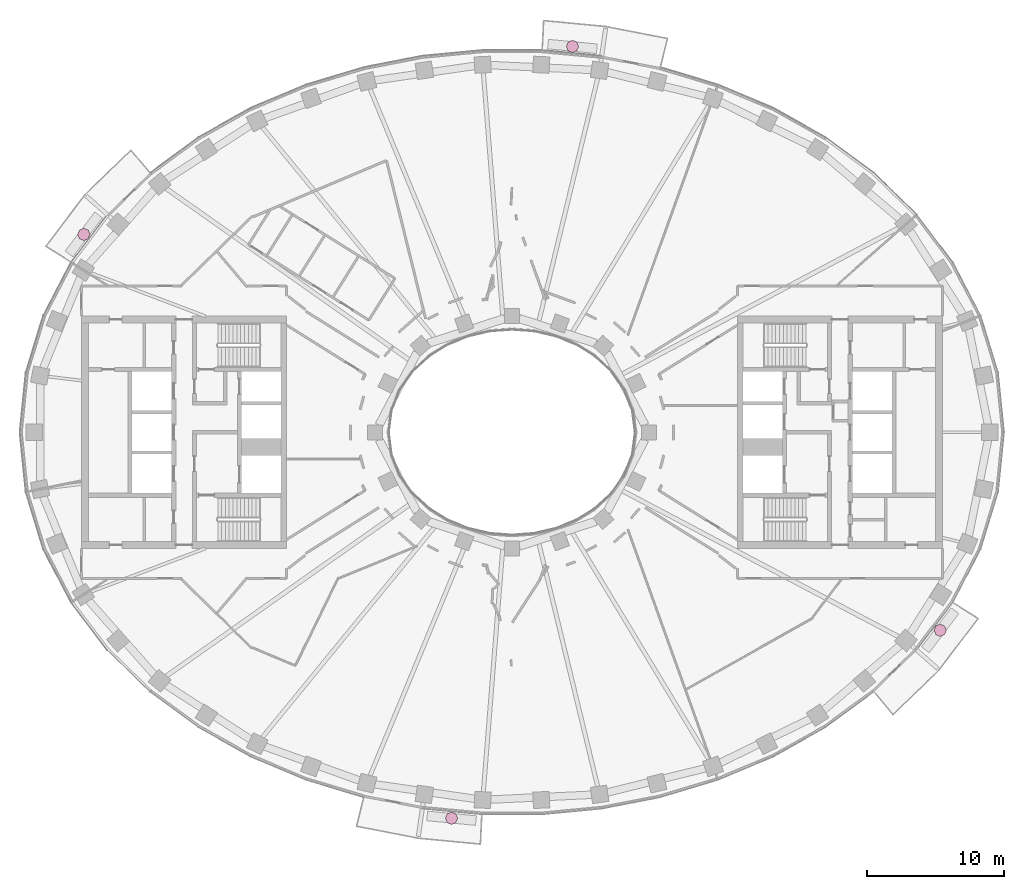
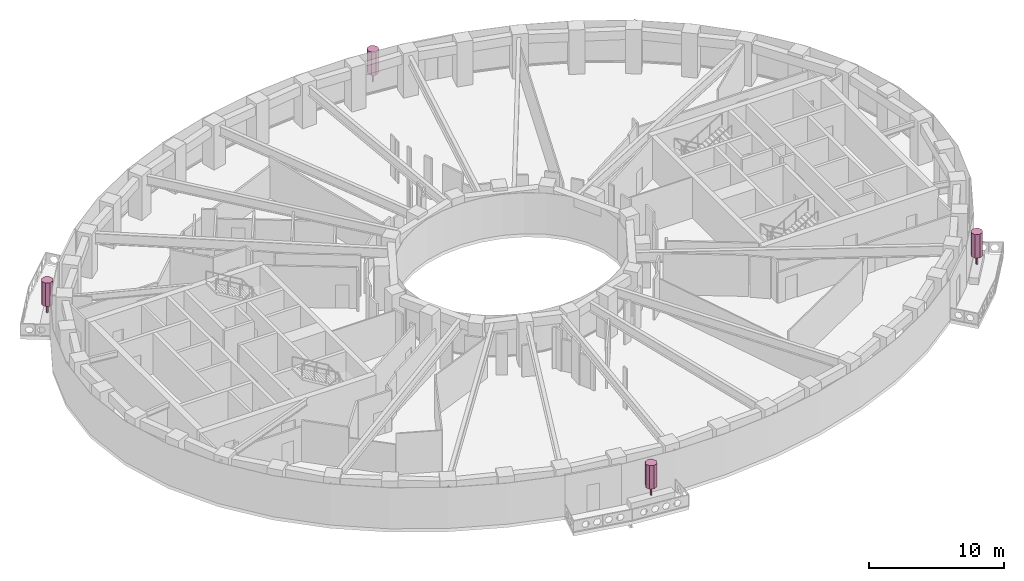
# One storey, part 16 of 16: 4 furnishings.
"""IFC4 building model written with IfcOpenShell, lengths in metres."""

import ifcopenshell
import ifcopenshell.guid

model = None  # the IFC model being written
_history = None  # IfcOwnerHistory: only IFC2X3 demands one
_inside = {}  # id of a spatial element -> (the spatial element, [elements in it])
_under = {}  # id of a project, library or spatial element -> (it, [spatial elements below it])
_declared = {}  # id of a project -> (the project, [libraries it declares])
_typed = {}  # id of a type object -> (the type object, [elements of that type])
_made_of = {}  # id of a material, layer set ... -> (it, [elements and type objects made of it])


def new_model(schema):
    """Start an empty IFC model of exactly this schema.

    Asked for "IFC4X3", IfcOpenShell would pick the latest addendum, in which some entities
    have other attributes; the version numbers below select the first issue.
    IFC2X3 requires an IfcOwnerHistory on every rooted entity: one is made here for all.
    """
    global model, _history
    if schema == "IFC4X3":
        model = ifcopenshell.file(schema_version=(4, 3, 0, 0))
    else:
        model = ifcopenshell.file(schema=schema)
    _inside.clear()
    _under.clear()
    _declared.clear()
    _typed.clear()
    _made_of.clear()
    _history = None
    if model.schema == "IFC2X3":
        org = make("IfcOrganization", Name="unknown")
        user = make(
            "IfcPersonAndOrganization",
            ThePerson=make("IfcPerson", FamilyName="unknown"),
            TheOrganization=org,
        )
        app = make(
            "IfcApplication",
            ApplicationDeveloper=org,
            Version="unknown",
            ApplicationFullName="unknown",
            ApplicationIdentifier="unknown",
        )
        _history = make(
            "IfcOwnerHistory",
            OwningUser=user,
            OwningApplication=app,
            ChangeAction="ADDED",
            CreationDate=0,
        )
    return model


def make(cls, **values):
    """One entity of the class cls with the attributes given. An attribute that is None is left unset."""
    return model.create_entity(
        cls, **{name: value for name, value in values.items() if value is not None}
    )


def rooted(cls, **values):
    """An entity with a GlobalId (a new one), such as an element, a storey or a relation."""
    return make(cls, GlobalId=ifcopenshell.guid.new(), OwnerHistory=_history, **values)


def si_unit(unit_type, name, prefix=None):
    """IfcSIUnit, for example si_unit("LENGTHUNIT", "METRE", prefix="MILLI")."""
    return make("IfcSIUnit", UnitType=unit_type, Prefix=prefix, Name=name)


def assignment(units):
    """IfcUnitAssignment: the units of a project."""
    return None if units is None else make("IfcUnitAssignment", Units=units)


def point(xyz):
    """IfcCartesianPoint."""
    return None if xyz is None else make("IfcCartesianPoint", Coordinates=xyz)


def direction(xyz):
    """IfcDirection."""
    return None if xyz is None else make("IfcDirection", DirectionRatios=xyz)


def frame(location, z_axis=None, x_axis=None):
    """IfcAxis2Placement3D, a coordinate frame: its origin and axes. An axis left out is left unset."""
    return make(
        "IfcAxis2Placement3D",
        Location=point(location),
        Axis=direction(z_axis),
        RefDirection=direction(x_axis),
    )


def frame_2d(location, x_axis=None):
    """IfcAxis2Placement2D, a coordinate frame in the plane: its origin and x axis."""
    return make(
        "IfcAxis2Placement2D", Location=point(location), RefDirection=direction(x_axis)
    )


def origin():
    """The frame at (0, 0, 0) with its axes left unset."""
    return frame((0.0, 0.0, 0.0))


def origin_2d():
    """The frame at (0, 0) in the plane with its x axis left unset."""
    return frame_2d((0.0, 0.0))


def place(relative_to, where):
    """IfcLocalPlacement: puts the frame where relative to a parent placement (None: the world)."""
    return make(
        "IfcLocalPlacement", PlacementRelTo=relative_to, RelativePlacement=where
    )


def context(
    kind, dimensions, precision=None, world=None, true_north=None, identifier=None
):
    """IfcGeometricRepresentationContext, for example the 3D "Model" context."""
    return make(
        "IfcGeometricRepresentationContext",
        ContextIdentifier=identifier,
        ContextType=kind,
        CoordinateSpaceDimension=dimensions,
        Precision=precision,
        WorldCoordinateSystem=world,
        TrueNorth=true_north,
    )


def subcontext(parent, identifier, kind, view, scale=None):
    """IfcGeometricRepresentationSubContext, for example "Body" below "Model"."""
    return make(
        "IfcGeometricRepresentationSubContext",
        ContextIdentifier=identifier,
        ContextType=kind,
        ParentContext=parent,
        TargetScale=scale,
        TargetView=view,
    )


def project(units=None, contexts=None):
    """IfcProject with its units and contexts."""
    return rooted(
        "IfcProject",
        Name="project",
        RepresentationContexts=contexts,
        UnitsInContext=assignment(units),
    )


def spatial(cls, under=None, at=None, **own):
    """A site, building, storey or space (cls), placed at a placement, below another one or the project."""
    s = rooted(cls, ObjectPlacement=at, **own)
    if under is not None:
        _under.setdefault(under.id(), (under, []))[1].append(s)
    return s


def polyline(points):
    """IfcPolyline through the points."""
    return make("IfcPolyline", Points=[point(p) for p in points])


def profile(cls, at=None, kind="AREA", **sizes):
    """A parametric profile (cls). Its sizes go by their IFC names, for example OverallWidth=200.0."""
    return make(cls, ProfileType=kind, Position=at, **sizes)


def rectangle(**sizes):
    """IfcRectangleProfileDef."""
    return profile("IfcRectangleProfileDef", **sizes)


def outline(outer, holes=None, kind="AREA"):
    """IfcArbitraryClosedProfileDef: a profile drawn as a closed curve; with holes, ...WithVoids."""
    if holes is None:
        return make("IfcArbitraryClosedProfileDef", ProfileType=kind, OuterCurve=outer)
    return make(
        "IfcArbitraryProfileDefWithVoids",
        ProfileType=kind,
        OuterCurve=outer,
        InnerCurves=holes,
    )


def extrude(swept, where, along, depth):
    """IfcExtrudedAreaSolid: the profile swept, set in the frame where, extruded along a direction by depth."""
    return make(
        "IfcExtrudedAreaSolid",
        SweptArea=swept,
        Position=where,
        ExtrudedDirection=direction(along),
        Depth=depth,
    )


def shape(context_of_items, identifier, shape_type, items):
    """IfcShapeRepresentation: the items that make up one representation, for example the "Body"."""
    return make(
        "IfcShapeRepresentation",
        ContextOfItems=context_of_items,
        RepresentationIdentifier=identifier,
        RepresentationType=shape_type,
        Items=items,
    )


def material(Name=None, Category=None):
    """IfcMaterial."""
    return make("IfcMaterial", Name=Name, Category=Category)


def made_of(thing, what):
    """Note that an element or type object is made of a material, layer set ...; save() writes the relation."""
    if what is not None:
        _made_of.setdefault(what.id(), (what, []))[1].append(thing)
    return thing


def type_object(cls, material=None, **own):
    """A type object (cls), such as IfcWallType, which elements share."""
    return made_of(rooted(cls, **own), material)


def element(
    cls,
    number,
    at=None,
    inside=None,
    cuts=None,
    type_object=None,
    material=None,
    context=None,
    identifier="Body",
    shape_type=None,
    held_by="IfcProductDefinitionShape",
    body=None,
    shapes=None,
    **own,
):
    """One element of the class cls, such as IfcWall. Its Tag is "e" and its number.

    at: its placement. inside: the storey or other place that contains it. cuts: it is an
    opening in that element (IfcRelVoidsElement). A single representation is given by context,
    identifier, shape_type and body (its items); several are given by shapes. held_by: the class
    of the entity that holds the representations. save() writes the other relations.
    """
    e = rooted(cls, Tag="e%d" % number, ObjectPlacement=at, **own)
    if body is not None:
        shapes = [shape(context, identifier, shape_type, body)]
    if shapes is not None:
        e.Representation = make(held_by, Representations=shapes)
    if inside is not None:
        _inside.setdefault(inside.id(), (inside, []))[1].append(e)
    if cuts is not None:
        rooted(
            "IfcRelVoidsElement", RelatingBuildingElement=cuts, RelatedOpeningElement=e
        )
    if type_object is not None:
        _typed.setdefault(type_object.id(), (type_object, []))[1].append(e)
    return made_of(e, material)


def aggregate(whole, parts):
    """IfcRelAggregates: a whole, such as a stair, and the parts it consists of."""
    return rooted("IfcRelAggregates", RelatingObject=whole, RelatedObjects=parts)


def save(model, path):
    """Write the relations noted so far, then the file.

    IfcRelAggregates (storeys below a building ...), IfcRelContainedInSpatialStructure (elements
    in a storey), IfcRelDefinesByType, IfcRelAssociatesMaterial and IfcRelDeclares: one each for
    every whole, place, type object, material and project.
    """
    for whole, parts in _under.values():
        aggregate(whole, parts)
    for where, things in _inside.values():
        rooted(
            "IfcRelContainedInSpatialStructure",
            RelatedElements=things,
            RelatingStructure=where,
        )
    for kind, things in _typed.values():
        rooted("IfcRelDefinesByType", RelatedObjects=things, RelatingType=kind)
    for what, things in _made_of.values():
        rooted("IfcRelAssociatesMaterial", RelatedObjects=things, RelatingMaterial=what)
    for by, libraries in _declared.values():
        rooted("IfcRelDeclares", RelatingContext=by, RelatedDefinitions=libraries)
    model.write(path)


model = new_model("IFC4")

# Units and contexts
model_context = context("Model", 3, precision=1e-05, world=origin(), true_north=direction((0.0, 1.0)))
body_context = subcontext(model_context, "Body", "Model", "MODEL_VIEW")
ifc_project = project(units=[si_unit("LENGTHUNIT", "METRE"), si_unit("AREAUNIT", "SQUARE_METRE"), si_unit("VOLUMEUNIT", "CUBIC_METRE"), si_unit("PLANEANGLEUNIT", "RADIAN"), si_unit("MASSUNIT", "GRAM", prefix="KILO")], contexts=[model_context])

# Site, building, storey
site_placement = place(None, origin())
site = spatial("IfcSite", under=ifc_project, at=site_placement, CompositionType="ELEMENT")
building_placement = place(site_placement, origin())
building = spatial("IfcBuilding", under=site, at=building_placement, Name="Noorbagh Ring Tower", CompositionType="ELEMENT")
storey_placement = place(building_placement, frame((0.0, 0.0, 154.0)))
storey = spatial("IfcBuildingStorey", under=building, at=storey_placement, Name="L35", CompositionType="ELEMENT", Elevation=154.0)

# Furnishings
ifc_material = material(Name="Planting foliage green")
furnishing_element_type = type_object("IfcFurnishingElementType", Name="ENV-TREE", material=ifc_material)
for number, where, z_axis, x_axis, name in (
    (1, (4.423828125, 28.2373046875, 0.60009765625), (0.0, 0.0, 1.0), (1.0, 0.0, 0.0), "Tree BN03"),
    (2, (-31.329833984375, 14.4833984375, 0.60009765625), (0.0, 0.0, 1.0), (1.0, 0.0, 0.0), "Tree BN06"),
    (3, (-4.423828125, -28.2373046875, 0.60009765625), (0.0, 0.0, 1.0), (1.0, 0.0, 0.0), "Tree BS03"),
    (4, (31.329833984375, -14.4833984375, 0.60009765625), (0.0, 0.0, 1.0), (1.0, 0.0, 0.0), "Tree BS06"),
):
    element("IfcFurnishingElement", number, at=place(storey_placement, frame(where, z_axis=z_axis, x_axis=x_axis)), inside=storey, type_object=furnishing_element_type, Name=name, context=body_context, shape_type="SweptSolid", body=[
        extrude(rectangle(XDim=0.1201171875, YDim=0.1201171875, at=origin_2d()), origin(), (0.0, 0.0, 1.0), 0.825927734375),
        extrude(outline(polyline([(0.449951171875, 0.0), (0.318115234375, 0.318115234375), (0.0, 0.449951171875), (-0.318115234375, 0.318115234375), (-0.449951171875, 0.0), (-0.318115234375, -0.318115234375), (0.0, -0.449951171875), (0.318115234375, -0.318115234375), (0.449951171875, 0.0)])), frame((0.0, 0.0, 0.825927734375)), (0.0, 0.0, 1.0), 2.1240234375),
    ])

save(model, "model.ifc")
